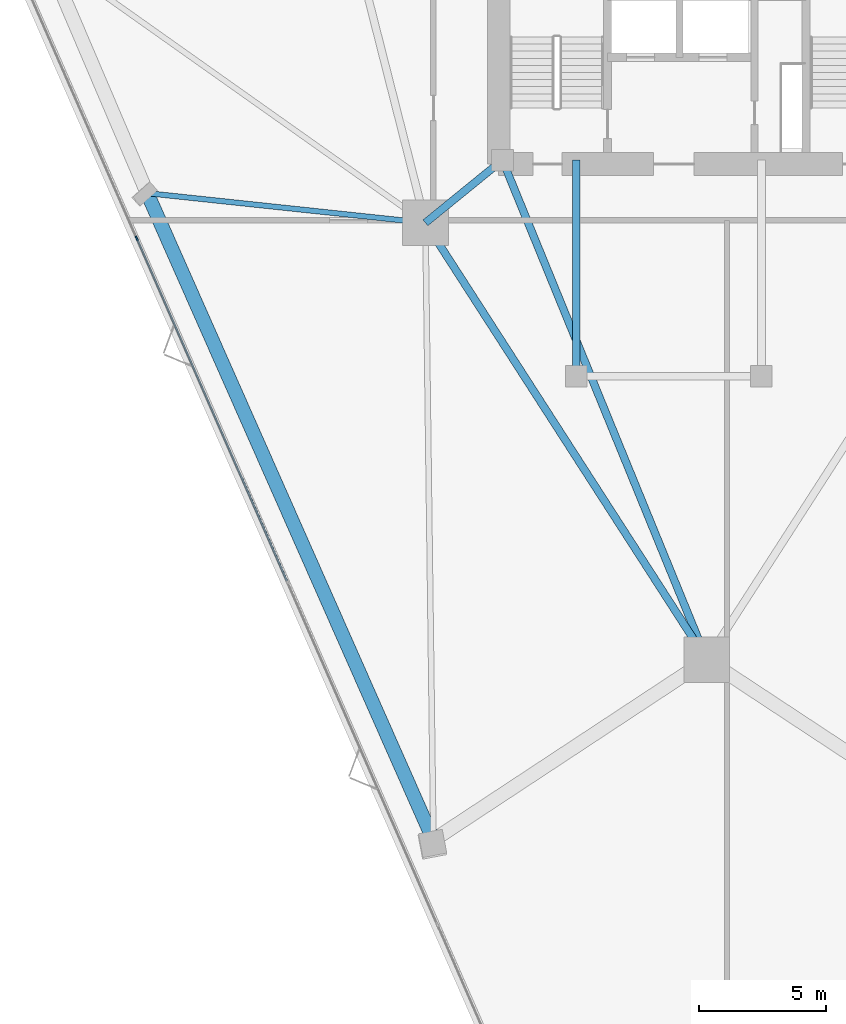
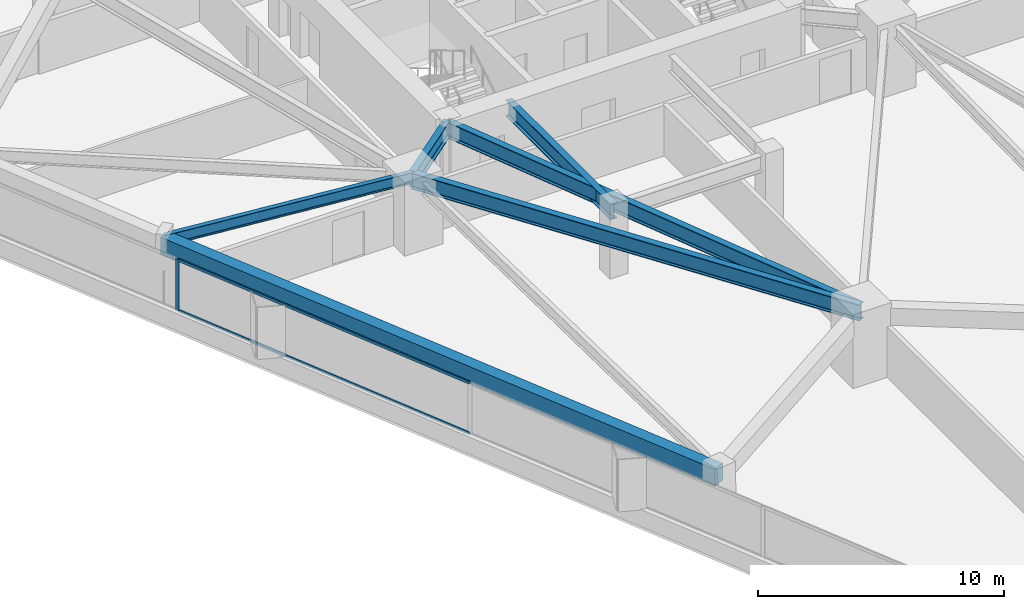
# One storey, part 6 of 20: 6 beams, 3 members, 1 element without a shape of its own.
"""IFC4 building model written with IfcOpenShell, lengths in metres."""

from ifc_helpers import new_model, si_unit, direction, frame, origin, origin_2d, place, context, subcontext, project, spatial, rectangle, i_section, extrude, material, layer, layer_set, material_profile, profile_set, type_object, element, aggregate, save


model = new_model("IFC4")

# Units and contexts
model_context = context("Model", 3, precision=1e-05, world=origin(), true_north=direction((0.0, 1.0)))
body_context = subcontext(model_context, "Body", "Model", "MODEL_VIEW")
ifc_project = project(units=[si_unit("LENGTHUNIT", "METRE"), si_unit("AREAUNIT", "SQUARE_METRE"), si_unit("VOLUMEUNIT", "CUBIC_METRE"), si_unit("PLANEANGLEUNIT", "RADIAN"), si_unit("MASSUNIT", "GRAM", prefix="KILO")], contexts=[model_context])

# Site, building, storey
site_placement = place(None, origin())
site = spatial("IfcSite", under=ifc_project, at=site_placement, CompositionType="ELEMENT")
building_placement = place(site_placement, origin())
building = spatial("IfcBuilding", under=site, at=building_placement, Name="Talyreon Biosciences Tower", CompositionType="ELEMENT")
storey_placement = place(building_placement, frame((0.0, 0.0, 26.449951171875)))
storey = spatial("IfcBuildingStorey", under=building, at=storey_placement, Name="L06", CompositionType="ELEMENT", Elevation=26.449951171875)

# Curtain wall, members
ifc_material_1 = material(Name="Thermally broken aluminium and low-E glazing", Category="aluminium")
ifc_layer = layer(ifc_material_1, 0.195068359375)
ifc_layer_set = layer_set([ifc_layer], Name="Thermally broken aluminium and low-E glazing")
curtain_wall_type = type_object("IfcCurtainWallType", Name="CurtainWall_Zone1WetLab", PredefinedType="NOTDEFINED", material=ifc_layer_set)
curtain_wall_placement = place(storey_placement, origin())
curtain_wall = element("IfcCurtainWall", 1, at=curtain_wall_placement, inside=storey, type_object=curtain_wall_type, Name="L06 Unitised Curtain Wall FCW-L06-00", PredefinedType="NOTDEFINED")
ifc_material_2 = material(Name="Anodised thermally broken aluminium", Category="aluminium")
ifc_material_profile_1 = material_profile(ifc_material_2, rectangle(XDim=0.06494140625, YDim=0.179931640625, at=origin_2d()), Name="ALUM MULLION 65x180")
ifc_profile_set_1 = profile_set([ifc_material_profile_1], Name="Anodised thermally broken aluminium")
member_type_1 = type_object("IfcMemberType", Name="CWMullion_65x180", PredefinedType="MULLION", material=ifc_profile_set_1)
member_1_placement = place(storey_placement, frame((43.54345703125, 58.268310546875, 0.81005859375), z_axis=(0.0, 0.0, 1.0), x_axis=(-0.915926900592, -0.401345129249, 0.0)))
member_1 = element("IfcMember", 2, at=member_1_placement, type_object=member_type_1, Name="CW2 mullion 4", PredefinedType="MULLION", context=body_context, shape_type="SweptSolid", body=[
    extrude(rectangle(XDim=0.06494140625, YDim=0.179931640625, at=origin_2d()), origin(), (0.0, 0.0, 1.0), 2.56494140625),
])
ifc_material_profile_2 = material_profile(ifc_material_2, rectangle(XDim=0.06494140625, YDim=0.139892578125, at=origin_2d()), Name="ALUM TRANSOM 65x140")
ifc_profile_set_2 = profile_set([ifc_material_profile_2], Name="Anodised thermally broken aluminium")
member_type_2 = type_object("IfcMemberType", Name="CWTransom_65x140", PredefinedType="USERDEFINED", material=ifc_profile_set_2)
member_2_placement = place(storey_placement, frame((49.452880859375, 44.782470703125, 0.842529296875), z_axis=(-0.401345318485, 0.915926817672, 0.0), x_axis=(-0.915926817672, -0.401345318485, 0.0)))
member_2 = element("IfcMember", 3, at=member_2_placement, type_object=member_type_2, Name="CW2 transom 3.1", ObjectType="TRANSOM", PredefinedType="USERDEFINED", context=body_context, shape_type="SweptSolid", body=[
    extrude(rectangle(XDim=0.06494140625, YDim=0.139892578125, at=origin_2d()), origin(), (0.0, 0.0, 1.0), 14.691162109375),
])
member_3_placement = place(storey_placement, frame((49.452880859375, 44.782470703125, 3.342529296875), z_axis=(-0.401345318485, 0.915926817672, 0.0), x_axis=(-0.915926817672, -0.401345318485, 0.0)))
member_3 = element("IfcMember", 4, at=member_3_placement, type_object=member_type_2, Name="CW2 transom 3.2", ObjectType="TRANSOM", PredefinedType="USERDEFINED", context=body_context, shape_type="SweptSolid", body=[
    extrude(rectangle(XDim=0.06494140625, YDim=0.139892578125, at=origin_2d()), origin(), (0.0, 0.0, 1.0), 14.691162109375),
])
aggregate(curtain_wall, [member_1, member_2, member_3])

# Beams
ifc_material_3 = material(Name="Precast concrete C45/55", Category="concrete")
ifc_material_profile_3 = material_profile(ifc_material_3, rectangle(XDim=0.550048828125, YDim=0.85009765625, at=origin_2d()), Name="RCB 550x850")
ifc_profile_set_3 = profile_set([ifc_material_profile_3], Name="Precast concrete C45/55")
beam_type_1 = type_object("IfcBeamType", Name="ExpressedSpandrel_550x850", PredefinedType="SPANDREL", material=ifc_profile_set_3)
beam_1_placement = place(storey_placement, frame((43.95654296875, 60.04736328125, 2.949951171875), z_axis=(0.404593114499, -0.914496807922, 0.0), x_axis=(0.914496807922, 0.404593114499, 0.0)))
element("IfcBeam", 5, at=beam_1_placement, inside=storey, type_object=beam_type_1, Name="L06 Expressed Horizontal Concrete Spandrel 11", PredefinedType="SPANDREL", context=body_context, shape_type="SweptSolid", body=[
    extrude(rectangle(XDim=0.550048828125, YDim=0.85009765625, at=origin_2d()), origin(), (0.0, 0.0, 1.0), 27.861328125),
])
ifc_material_4 = material(Name="Steel SM355", Category="steel")
ifc_material_profile_4 = material_profile(ifc_material_4, i_section(OverallWidth=0.300048828125, OverallDepth=0.800048828125, WebThickness=0.017578125, FlangeThickness=0.032958984375, FilletRadius=0.030029296875, at=origin_2d()), Name="HE800B")
ifc_profile_set_4 = profile_set([ifc_material_profile_4], Name="Steel SM355")
beam_type_2 = type_object("IfcBeamType", Name="SteelGirder_HE800B", PredefinedType="BEAM", material=ifc_profile_set_4)
beam_2_placement = place(storey_placement, frame((54.913818359375, 58.88037109375, 2.97509765625), z_axis=(0.541463723609, -0.840724114092, 0.0), x_axis=(0.840724114092, 0.541463723609, 0.0)))
element("IfcBeam", 6, at=beam_2_placement, inside=storey, type_object=beam_type_2, Name="L06 Mega-Ring Girder 6", PredefinedType="BEAM", context=body_context, shape_type="SweptSolid", body=[
    extrude(i_section(OverallWidth=0.300048828125, OverallDepth=0.800048828125, WebThickness=0.017578125, FlangeThickness=0.032958984375, FilletRadius=0.030029296875, at=origin_2d()), origin(), (0.0, 0.0, 1.0), 20.474365234375),
])
beam_3_placement = place(storey_placement, frame((57.949951171875, 61.35009765625, 2.97509765625), z_axis=(0.378547014545, -0.925582064314, 0.0), x_axis=(0.925582064314, 0.378547014545, 0.0)))
element("IfcBeam", 7, at=beam_3_placement, inside=storey, type_object=beam_type_2, Name="L06 Radial Primary Girder 1", PredefinedType="BEAM", context=body_context, shape_type="SweptSolid", body=[
    extrude(i_section(OverallWidth=0.300048828125, OverallDepth=0.800048828125, WebThickness=0.017578125, FlangeThickness=0.032958984375, FilletRadius=0.030029296875, at=origin_2d()), origin(), (0.0, 0.0, 1.0), 21.265625),
])
beam_4_placement = place(storey_placement, frame((57.949951171875, 61.35009765625, 2.97509765625), z_axis=(-0.775755154013, -0.631034025249, 0.0), x_axis=(0.631034025249, -0.775755154013, 0.0)))
element("IfcBeam", 8, at=beam_4_placement, inside=storey, type_object=beam_type_2, Name="L06 Radial Primary Girder 6", PredefinedType="BEAM", context=body_context, shape_type="SweptSolid", body=[
    extrude(i_section(OverallWidth=0.300048828125, OverallDepth=0.800048828125, WebThickness=0.017578125, FlangeThickness=0.032958984375, FilletRadius=0.030029296875, at=origin_2d()), origin(), (0.0, 0.0, 1.0), 3.913818359375),
])
beam_5_placement = place(storey_placement, frame((60.85009765625, 52.840087890625, 2.97509765625), z_axis=(0.0, 1.0, 0.0), x_axis=(-1.0, 0.0, 0.0)))
element("IfcBeam", 9, at=beam_5_placement, inside=storey, type_object=beam_type_2, Name="L06 Crown Shaft Tie Girder W", PredefinedType="BEAM", context=body_context, shape_type="SweptSolid", body=[
    extrude(i_section(OverallWidth=0.300048828125, OverallDepth=0.800048828125, WebThickness=0.017578125, FlangeThickness=0.032958984375, FilletRadius=0.030029296875, at=origin_2d()), origin(), (0.0, 0.0, 1.0), 8.510009765625),
])
ifc_material_profile_5 = material_profile(ifc_material_4, i_section(OverallWidth=0.2099609375, OverallDepth=0.550048828125, WebThickness=0.010986328125, FlangeThickness=0.01708984375, FilletRadius=0.02392578125, at=origin_2d()), Name="IPE550")
ifc_profile_set_5 = profile_set([ifc_material_profile_5], Name="Steel SM355")
beam_type_3 = type_object("IfcBeamType", Name="SteelJoist_IPE550", PredefinedType="JOIST", material=ifc_profile_set_5)
beam_6_placement = place(storey_placement, frame((54.913818359375, 58.88037109375, 3.10009765625), z_axis=(-0.99437626118, 0.105904915854, 0.0), x_axis=(-0.105904915854, -0.99437626118, 0.0)))
element("IfcBeam", 10, at=beam_6_placement, inside=storey, type_object=beam_type_3, Name="L06 Radial Composite Floor Joist PL-SW", PredefinedType="JOIST", context=body_context, shape_type="SweptSolid", body=[
    extrude(i_section(OverallWidth=0.2099609375, OverallDepth=0.550048828125, WebThickness=0.010986328125, FlangeThickness=0.01708984375, FilletRadius=0.02392578125, at=origin_2d()), origin(), (0.0, 0.0, 1.0), 11.019287109375),
])

save(model, "model.ifc")
